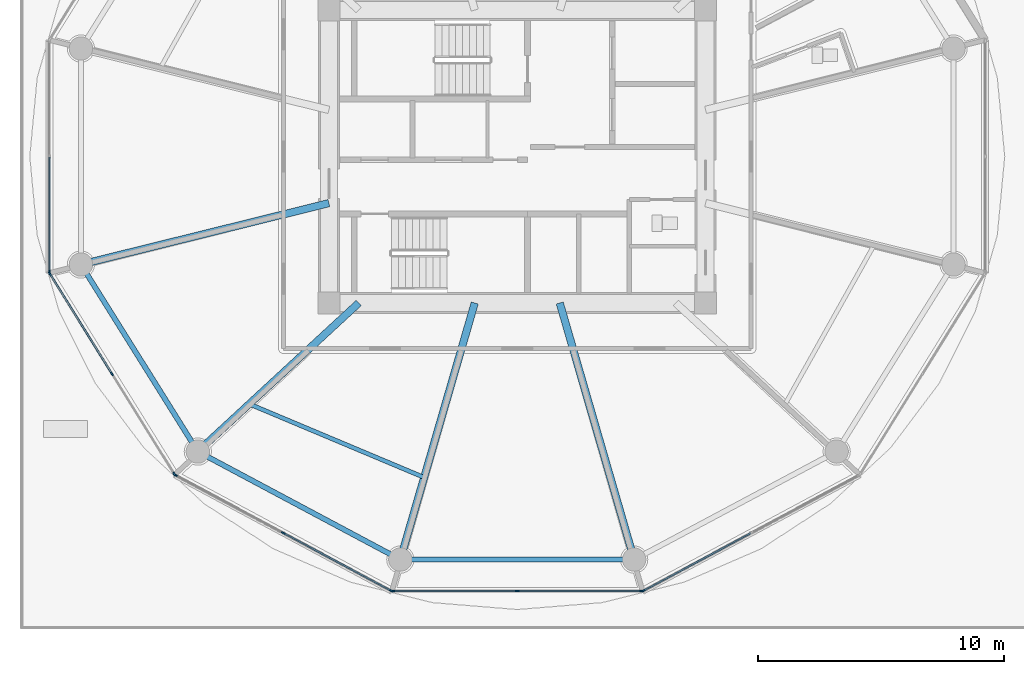
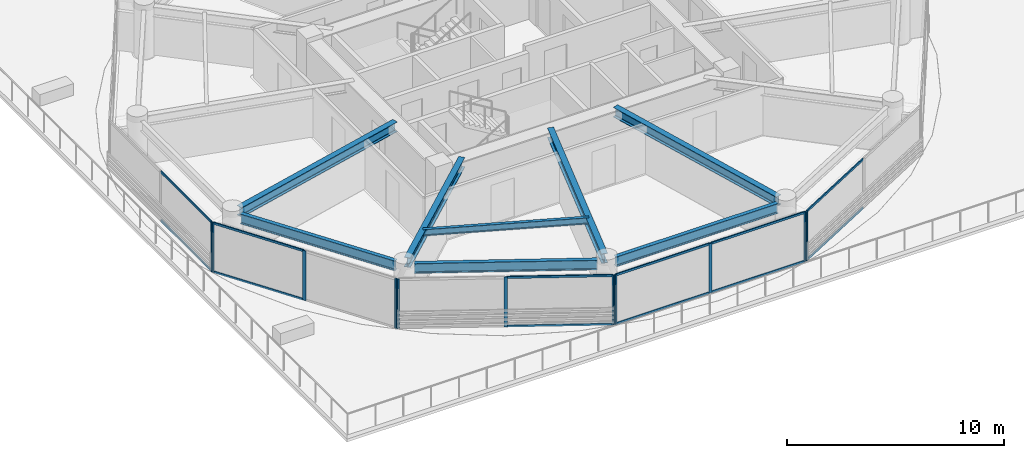
# One storey, part 2 of 32: 23 members, 8 beams, 5 elements without a shape of their own.
"""IFC4 building model written with IfcOpenShell, lengths in metres."""

from ifc_helpers import new_model, si_unit, direction, frame, origin, origin_2d, place, context, subcontext, project, spatial, rectangle, i_section, extrude, source, transform, mapped, material, layer, layer_set, material_profile, profile_set, type_object, type_shapes, element, aggregate, save


model = new_model("IFC4")

# Units and contexts
model_context = context("Model", 3, precision=1e-05, world=origin(), true_north=direction((0.0, 1.0)))
body_context = subcontext(model_context, "Body", "Model", "MODEL_VIEW")
ifc_project = project(units=[si_unit("LENGTHUNIT", "METRE"), si_unit("AREAUNIT", "SQUARE_METRE"), si_unit("VOLUMEUNIT", "CUBIC_METRE"), si_unit("PLANEANGLEUNIT", "RADIAN"), si_unit("MASSUNIT", "GRAM", prefix="KILO")], contexts=[model_context])

# Site, building, storey
site_placement = place(None, origin())
site = spatial("IfcSite", under=ifc_project, at=site_placement, CompositionType="ELEMENT")
building_placement = place(site_placement, origin())
building = spatial("IfcBuilding", under=site, at=building_placement, Name="Norrkilde Senior Care Towers", CompositionType="ELEMENT")
storey_placement = place(building_placement, frame((0.0, 0.0, 21.60009765625)))
storey = spatial("IfcBuildingStorey", under=building, at=storey_placement, Name="L05", CompositionType="ELEMENT", Elevation=21.60009765625)

# Beams
ifc_material_1 = material(Name="Steel S355", Category="steel")
ifc_material_profile_1 = material_profile(ifc_material_1, i_section(OverallWidth=0.2099609375, OverallDepth=0.550048828125, WebThickness=0.010986328125, FlangeThickness=0.01708984375, FilletRadius=0.02392578125, at=origin_2d()), Name="IPE 550")
ifc_profile_set_1 = profile_set([ifc_material_profile_1], Name="Steel S355")
beam_type_1 = type_object("IfcBeamType", Name="Perimeter Ring Spandrel Z1 IPE550", PredefinedType="SPANDREL", material=ifc_profile_set_1)
shared_shape_1 = source(origin(), body_context, "Body", "SweptSolid", [
    extrude(i_section(OverallWidth=0.2099609375, OverallDepth=0.550048828125, WebThickness=0.010986328125, FlangeThickness=0.01708984375, FilletRadius=0.02392578125, at=origin_2d()), origin(), (0.0, 0.0, 1.0), 8.090576171875),
])
beam_1_placement = place(storey_placement, frame((-45.494140625, -4.755859375, 2.514892578125), z_axis=(0.530004364821, -0.84799491347, 0.0), x_axis=(0.84799491347, 0.530004364821, 0.0)))
element("IfcBeam", 1, at=beam_1_placement, inside=storey, type_object=beam_type_1, Name="L05 Drum W Perimeter Spandrel 07", PredefinedType="SPANDREL", context=body_context, shape_type="MappedRepresentation", body=[
    mapped(shared_shape_1, transform((0.0, 0.0, 0.0), x_axis=(1.0, 0.0, 0.0), y_axis=(0.0, 1.0, 0.0), z_axis=(0.0, 0.0, 1.0), scale=1.0)),
])
ifc_material_profile_2 = material_profile(ifc_material_1, i_section(OverallWidth=0.300048828125, OverallDepth=0.550048828125, WebThickness=0.014892578125, FlangeThickness=0.029052734375, FilletRadius=0.027099609375, at=origin_2d()), Name="HEB 550")
ifc_profile_set_2 = profile_set([ifc_material_profile_2], Name="Steel S355")
beam_type_2 = type_object("IfcBeamType", Name="Radial Floor Beam Z1 HEB550", PredefinedType="BEAM", material=ifc_profile_set_2)
shared_shape_2 = source(origin(), body_context, "Body", "SweptSolid", [
    extrude(i_section(OverallWidth=0.300048828125, OverallDepth=0.550048828125, WebThickness=0.014892578125, FlangeThickness=0.029052734375, FilletRadius=0.027099609375, at=origin_2d()), origin(), (0.0, 0.0, 1.0), 9.94384765625),
])
beam_2_placement = place(storey_placement, frame((-35.64990234375, -1.893310546875, 2.514892578125), z_axis=(-0.970707425182, -0.240264634718, 0.0), x_axis=(0.240264634718, -0.970707425182, 0.0)))
element("IfcBeam", 2, at=beam_2_placement, inside=storey, type_object=beam_type_2, Name="L05 Drum W Radial Floor Beam 07", PredefinedType="BEAM", context=body_context, shape_type="MappedRepresentation", body=[
    mapped(shared_shape_2, transform((0.0, 0.0, 0.0), x_axis=(1.0, 0.0, 0.0), y_axis=(0.0, 1.0, 0.0), z_axis=(0.0, 0.0, 1.0), scale=1.0)),
])
shared_shape_3 = source(origin(), body_context, "Body", "SweptSolid", [
    extrude(i_section(OverallWidth=0.2099609375, OverallDepth=0.550048828125, WebThickness=0.010986328125, FlangeThickness=0.01708984375, FilletRadius=0.02392578125, at=origin_2d()), origin(), (0.0, 0.0, 1.0), 8.452880859375),
])
beam_3_placement = place(storey_placement, frame((-40.591552734375, -12.190185546875, 2.514892578125), z_axis=(0.882368931134, -0.470558252898, 0.0), x_axis=(0.470558252898, 0.882368931134, 0.0)))
element("IfcBeam", 3, at=beam_3_placement, inside=storey, type_object=beam_type_1, Name="L05 Drum W Perimeter Spandrel 08", PredefinedType="SPANDREL", context=body_context, shape_type="MappedRepresentation", body=[
    mapped(shared_shape_3, transform((0.0, 0.0, 0.0), x_axis=(1.0, 0.0, 0.0), y_axis=(0.0, 1.0, 0.0), z_axis=(0.0, 0.0, 1.0), scale=1.0)),
])
shared_shape_4 = source(origin(), body_context, "Body", "SweptSolid", [
    extrude(i_section(OverallWidth=0.300048828125, OverallDepth=0.550048828125, WebThickness=0.014892578125, FlangeThickness=0.029052734375, FilletRadius=0.027099609375, at=origin_2d()), origin(), (0.0, 0.0, 1.0), 8.459716796875),
])
beam_4_placement = place(storey_placement, frame((-34.44140625, -5.949951171875, 2.514892578125), z_axis=(-0.734573269108, -0.678529374686, 0.0), x_axis=(0.678529374686, -0.734573269108, 0.0)))
element("IfcBeam", 4, at=beam_4_placement, inside=storey, type_object=beam_type_2, Name="L05 Drum W Radial Floor Beam 08", PredefinedType="BEAM", context=body_context, shape_type="MappedRepresentation", body=[
    mapped(shared_shape_4, transform((0.0, 0.0, 0.0), x_axis=(1.0, 0.0, 0.0), y_axis=(0.0, 1.0, 0.0), z_axis=(0.0, 0.0, 1.0), scale=1.0)),
])
shared_shape_5 = source(origin(), body_context, "Body", "SweptSolid", [
    extrude(i_section(OverallWidth=0.2099609375, OverallDepth=0.550048828125, WebThickness=0.010986328125, FlangeThickness=0.01708984375, FilletRadius=0.02392578125, at=origin_2d()), origin(), (0.0, 0.0, 1.0), 8.62841796875),
])
type_shapes(beam_type_1, [shared_shape_1, shared_shape_3, shared_shape_5])
beam_5_placement = place(storey_placement, frame((-32.314208984375, -16.37255859375, 2.514892578125), z_axis=(1.0, 0.0, 0.0), x_axis=(0.0, 1.0, 0.0)))
element("IfcBeam", 5, at=beam_5_placement, inside=storey, type_object=beam_type_1, Name="L05 Drum W Perimeter Spandrel 09", PredefinedType="SPANDREL", context=body_context, shape_type="MappedRepresentation", body=[
    mapped(shared_shape_5, transform((0.0, 0.0, 0.0), x_axis=(1.0, 0.0, 0.0), y_axis=(0.0, 1.0, 0.0), z_axis=(0.0, 0.0, 1.0), scale=1.0)),
])
shared_shape_6 = source(origin(), body_context, "Body", "SweptSolid", [
    extrude(i_section(OverallWidth=0.300048828125, OverallDepth=0.550048828125, WebThickness=0.014892578125, FlangeThickness=0.029052734375, FilletRadius=0.027099609375, at=origin_2d()), origin(), (0.0, 0.0, 1.0), 10.4169921875),
])
type_shapes(beam_type_2, [shared_shape_2, shared_shape_4, shared_shape_6])
for number, where, z_axis, x_axis, name in (
    (6, (-29.72607421875, -5.949951171875, 2.514892578125), (-0.278591250785, -0.960409764104, 0.0), (0.960409764104, -0.278591250785, 0.0), "L05 Drum W Radial Floor Beam 09"),
    (7, (-26.27392578125, -5.949951171875, 2.514892578125), (0.278591250785, -0.960409764104, 0.0), (0.960409764104, 0.278591250785, 0.0), "L05 Drum W Radial Floor Beam 10"),
):
    element("IfcBeam", number, at=place(storey_placement, frame(where, z_axis=z_axis, x_axis=x_axis)), inside=storey, type_object=beam_type_2, Name=name, PredefinedType="BEAM", context=body_context, shape_type="MappedRepresentation", body=[
        mapped(shared_shape_6, transform((0.0, 0.0, 0.0), x_axis=(1.0, 0.0, 0.0), y_axis=(0.0, 1.0, 0.0), z_axis=(0.0, 0.0, 1.0), scale=1.0)),
    ])
ifc_material_profile_3 = material_profile(ifc_material_1, i_section(OverallWidth=0.169921875, OverallDepth=0.360107421875, WebThickness=0.008056640625, FlangeThickness=0.0126953125, FilletRadius=0.01806640625, at=origin_2d()), Name="IPE 360")
ifc_profile_set_3 = profile_set([ifc_material_profile_3], Name="Steel S355")
beam_type_3 = type_object("IfcBeamType", Name="Secondary Floor Joist IPE360", PredefinedType="JOIST", material=ifc_profile_set_3)
shared_shape_7 = source(origin(), body_context, "Body", "SweptSolid", [
    extrude(i_section(OverallWidth=0.169921875, OverallDepth=0.360107421875, WebThickness=0.008056640625, FlangeThickness=0.0126953125, FilletRadius=0.01806640625, at=origin_2d()), origin(), (0.0, 0.0, 1.0), 7.703857421875),
])
type_shapes(beam_type_3, [shared_shape_7])
beam_6_placement = place(storey_placement, frame((-38.884521484375, -10.05419921875, 2.60986328125), z_axis=(0.921982784465, -0.387230868023, 0.0), x_axis=(0.387230868023, 0.921982784465, 0.0)))
element("IfcBeam", 8, at=beam_6_placement, inside=storey, type_object=beam_type_3, Name="L05 Drum W Secondary Floor Joist 3", PredefinedType="JOIST", context=body_context, shape_type="MappedRepresentation", body=[
    mapped(shared_shape_7, transform((0.0, 0.0, 0.0), x_axis=(1.0, 0.0, 0.0), y_axis=(0.0, 1.0, 0.0), z_axis=(0.0, 0.0, 1.0), scale=1.0)),
])

# Curtain wall, member
ifc_material_2 = material(Name="Triple Low-E Insulated Glazing", Category="glass")
ifc_layer = layer(ifc_material_2, 0.199951171875)
ifc_layer_set = layer_set([ifc_layer], Name="Triple Low-E Insulated Glazing")
curtain_wall_type = type_object("IfcCurtainWallType", Name="CW2 Zone 1 Memory Care Curtain Wall", PredefinedType="NOTDEFINED", material=ifc_layer_set)
curtain_wall_1_placement = place(storey_placement, origin())
curtain_wall_1 = element("IfcCurtainWall", 9, at=curtain_wall_1_placement, inside=storey, type_object=curtain_wall_type, Name="L05 Drum W Curtain Wall 05", PredefinedType="NOTDEFINED")
ifc_material_3 = material(Name="Anodised Aluminium", Category="aluminium")
ifc_material_profile_4 = material_profile(ifc_material_3, rectangle(XDim=0.06494140625, YDim=0.159912109375, at=origin_2d()), Name="ALU MULL 65x160")
ifc_profile_set_4 = profile_set([ifc_material_profile_4], Name="Anodised Aluminium")
member_type_1 = type_object("IfcMemberType", Name="Curtain Wall Mullion Z1-Z2 65x160", PredefinedType="MULLION", material=ifc_profile_set_4)
shared_shape_8 = source(origin(), body_context, "Body", "SweptSolid", [
    extrude(rectangle(XDim=0.06494140625, YDim=0.159912109375, at=origin_2d()), origin(), (0.0, 0.0, 1.0), 2.789794921875),
])
type_shapes(member_type_1, [shared_shape_8])
member_1_placement = place(storey_placement, frame((-47.009521484375, -4.69873046875, 0.0), z_axis=(0.0, 0.0, 1.0), x_axis=(-1.0, 0.0, 0.0)))
member_1 = element("IfcMember", 10, at=member_1_placement, type_object=member_type_1, Name="CW-2 mullion 1", PredefinedType="MULLION", context=body_context, shape_type="MappedRepresentation", body=[
    mapped(shared_shape_8, transform((0.0, 0.0, 0.0), x_axis=(1.0, 0.0, 0.0), y_axis=(0.0, 1.0, 0.0), z_axis=(0.0, 0.0, 1.0), scale=1.0)),
])

# Curtain wall, members
curtain_wall_2_placement = place(storey_placement, origin())
curtain_wall_2 = element("IfcCurtainWall", 11, at=curtain_wall_2_placement, inside=storey, type_object=curtain_wall_type, Name="L05 Drum W Curtain Wall 06", PredefinedType="NOTDEFINED")
member_2_placement = place(storey_placement, frame((-41.93310546875, -12.898193359375, 0.0), z_axis=(0.0, 0.0, 1.0), x_axis=(-0.849305943117, -0.527900951871, 0.0)))
member_2 = element("IfcMember", 12, at=member_2_placement, type_object=member_type_1, Name="CW-2 mullion 1", PredefinedType="MULLION", context=body_context, shape_type="MappedRepresentation", body=[
    mapped(shared_shape_8, transform((0.0, 0.0, 0.0), x_axis=(1.0, 0.0, 0.0), y_axis=(0.0, 1.0, 0.0), z_axis=(0.0, 0.0, 1.0), scale=1.0)),
])
member_3_placement = place(storey_placement, frame((-44.462646484375, -8.82861328125, 0.0), z_axis=(0.0, 0.0, 1.0), x_axis=(-0.849305943117, -0.527900951871, 0.0)))
member_3 = element("IfcMember", 13, at=member_3_placement, type_object=member_type_1, Name="CW-2 mullion 2", PredefinedType="MULLION", context=body_context, shape_type="MappedRepresentation", body=[
    mapped(shared_shape_8, transform((0.0, 0.0, 0.0), x_axis=(1.0, 0.0, 0.0), y_axis=(0.0, 1.0, 0.0), z_axis=(0.0, 0.0, 1.0), scale=1.0)),
])
member_4_placement = place(storey_placement, frame((-46.9921875, -4.7587890625, 0.0), z_axis=(0.0, 0.0, 1.0), x_axis=(-0.849305943117, -0.527900951871, 0.0)))
member_4 = element("IfcMember", 14, at=member_4_placement, type_object=member_type_1, Name="CW-2 mullion 3", PredefinedType="MULLION", context=body_context, shape_type="MappedRepresentation", body=[
    mapped(shared_shape_8, transform((0.0, 0.0, 0.0), x_axis=(1.0, 0.0, 0.0), y_axis=(0.0, 1.0, 0.0), z_axis=(0.0, 0.0, 1.0), scale=1.0)),
])

curtain_wall_3_placement = place(storey_placement, origin())
curtain_wall_3 = element("IfcCurtainWall", 15, at=curtain_wall_3_placement, inside=storey, type_object=curtain_wall_type, Name="L05 Drum W Curtain Wall 07", PredefinedType="NOTDEFINED")
member_5_placement = place(storey_placement, frame((-33.122314453125, -17.641845703125, 0.0), z_axis=(0.0, 0.0, 1.0), x_axis=(-0.472607802456, -0.881272866403, 0.0)))
member_5 = element("IfcMember", 16, at=member_5_placement, type_object=member_type_1, Name="CW-2 mullion 1", PredefinedType="MULLION", context=body_context, shape_type="MappedRepresentation", body=[
    mapped(shared_shape_8, transform((0.0, 0.0, 0.0), x_axis=(1.0, 0.0, 0.0), y_axis=(0.0, 1.0, 0.0), z_axis=(0.0, 0.0, 1.0), scale=1.0)),
])
member_6_placement = place(storey_placement, frame((-37.504638671875, -15.29150390625, 0.0), z_axis=(0.0, 0.0, 1.0), x_axis=(-0.472607802456, -0.881272866403, 0.0)))
member_6 = element("IfcMember", 17, at=member_6_placement, type_object=member_type_1, Name="CW-2 mullion 2", PredefinedType="MULLION", context=body_context, shape_type="MappedRepresentation", body=[
    mapped(shared_shape_8, transform((0.0, 0.0, 0.0), x_axis=(1.0, 0.0, 0.0), y_axis=(0.0, 1.0, 0.0), z_axis=(0.0, 0.0, 1.0), scale=1.0)),
])
member_7_placement = place(storey_placement, frame((-41.88720703125, -12.941162109375, 0.0), z_axis=(0.0, 0.0, 1.0), x_axis=(-0.472607802456, -0.881272866403, 0.0)))
member_7 = element("IfcMember", 18, at=member_7_placement, type_object=member_type_1, Name="CW-2 mullion 3", PredefinedType="MULLION", context=body_context, shape_type="MappedRepresentation", body=[
    mapped(shared_shape_8, transform((0.0, 0.0, 0.0), x_axis=(1.0, 0.0, 0.0), y_axis=(0.0, 1.0, 0.0), z_axis=(0.0, 0.0, 1.0), scale=1.0)),
])

curtain_wall_4_placement = place(storey_placement, origin())
curtain_wall_4 = element("IfcCurtainWall", 19, at=curtain_wall_4_placement, inside=storey, type_object=curtain_wall_type, Name="L05 Drum W Curtain Wall 08", PredefinedType="NOTDEFINED")
member_8_placement = place(storey_placement, frame((-22.93896484375, -17.6572265625, 0.0), z_axis=(0.0, 0.0, 1.0), x_axis=(0.0, -1.0, 0.0)))
member_8 = element("IfcMember", 20, at=member_8_placement, type_object=member_type_1, Name="CW-2 mullion 1", PredefinedType="MULLION", context=body_context, shape_type="MappedRepresentation", body=[
    mapped(shared_shape_8, transform((0.0, 0.0, 0.0), x_axis=(1.0, 0.0, 0.0), y_axis=(0.0, 1.0, 0.0), z_axis=(0.0, 0.0, 1.0), scale=1.0)),
])
member_9_placement = place(storey_placement, frame((-28.0, -17.6572265625, 0.0), z_axis=(0.0, 0.0, 1.0), x_axis=(0.0, -1.0, 0.0)))
member_9 = element("IfcMember", 21, at=member_9_placement, type_object=member_type_1, Name="CW-2 mullion 2", PredefinedType="MULLION", context=body_context, shape_type="MappedRepresentation", body=[
    mapped(shared_shape_8, transform((0.0, 0.0, 0.0), x_axis=(1.0, 0.0, 0.0), y_axis=(0.0, 1.0, 0.0), z_axis=(0.0, 0.0, 1.0), scale=1.0)),
])
member_10_placement = place(storey_placement, frame((-33.06103515625, -17.6572265625, 0.0), z_axis=(0.0, 0.0, 1.0), x_axis=(0.0, -1.0, 0.0)))
member_10 = element("IfcMember", 22, at=member_10_placement, type_object=member_type_1, Name="CW-2 mullion 3", PredefinedType="MULLION", context=body_context, shape_type="MappedRepresentation", body=[
    mapped(shared_shape_8, transform((0.0, 0.0, 0.0), x_axis=(1.0, 0.0, 0.0), y_axis=(0.0, 1.0, 0.0), z_axis=(0.0, 0.0, 1.0), scale=1.0)),
])

# Curtain wall, member
curtain_wall_5_placement = place(storey_placement, origin())
curtain_wall_5 = element("IfcCurtainWall", 23, at=curtain_wall_5_placement, inside=storey, type_object=curtain_wall_type, Name="L05 Drum W Curtain Wall 09", PredefinedType="NOTDEFINED")
member_11_placement = place(storey_placement, frame((-22.877685546875, -17.641845703125, 0.0), z_axis=(0.0, 0.0, 1.0), x_axis=(0.472607802456, -0.881272866403, 0.0)))
member_11 = element("IfcMember", 24, at=member_11_placement, type_object=member_type_1, Name="CW-2 mullion 3", PredefinedType="MULLION", context=body_context, shape_type="MappedRepresentation", body=[
    mapped(shared_shape_8, transform((0.0, 0.0, 0.0), x_axis=(1.0, 0.0, 0.0), y_axis=(0.0, 1.0, 0.0), z_axis=(0.0, 0.0, 1.0), scale=1.0)),
])

# Member
ifc_material_profile_5 = material_profile(ifc_material_3, rectangle(XDim=0.06005859375, YDim=0.1201171875, at=origin_2d()), Name="ALU TRAN 60x120")
ifc_profile_set_5 = profile_set([ifc_material_profile_5], Name="Anodised Aluminium")
member_type_2 = type_object("IfcMemberType", Name="Curtain Wall Transom Typical 60x120", PredefinedType="USERDEFINED", material=ifc_profile_set_5)
shared_shape_9 = source(origin(), body_context, "Body", "SweptSolid", [
    extrude(rectangle(XDim=0.06005859375, YDim=0.1201171875, at=origin_2d()), origin(), (0.0, 0.0, 1.0), 4.907958984375),
])
member_12_placement = place(storey_placement, frame((-33.15087890625, -17.62646484375, 0.02978515625), z_axis=(-0.881266902561, 0.472618923077, 0.0), x_axis=(-0.472618923077, -0.881266902561, 0.0)))
member_12 = element("IfcMember", 25, at=member_12_placement, type_object=member_type_2, Name="CW-2 transom 1.1", ObjectType="TRANSOM", PredefinedType="USERDEFINED", context=body_context, shape_type="MappedRepresentation", body=[
    mapped(shared_shape_9, transform((0.0, 0.0, 0.0), x_axis=(1.0, 0.0, 0.0), y_axis=(0.0, 1.0, 0.0), z_axis=(0.0, 0.0, 1.0), scale=1.0)),
])

member_13_placement = place(storey_placement, frame((-33.15087890625, -17.62646484375, 2.760009765625), z_axis=(-0.881266902561, 0.472618923077, 0.0), x_axis=(-0.472618923077, -0.881266902561, 0.0)))
member_13 = element("IfcMember", 26, at=member_13_placement, type_object=member_type_2, Name="CW-2 transom 1.2", ObjectType="TRANSOM", PredefinedType="USERDEFINED", context=body_context, shape_type="MappedRepresentation", body=[
    mapped(shared_shape_9, transform((0.0, 0.0, 0.0), x_axis=(1.0, 0.0, 0.0), y_axis=(0.0, 1.0, 0.0), z_axis=(0.0, 0.0, 1.0), scale=1.0)),
])

aggregate(curtain_wall_3, [member_5, member_6, member_7, member_12, member_13])

member_14_placement = place(storey_placement, frame((-18.52392578125, -15.306884765625, 0.02978515625), z_axis=(-0.881266902561, -0.472618923077, 0.0), x_axis=(0.472618923077, -0.881266902561, 0.0)))
member_14 = element("IfcMember", 27, at=member_14_placement, type_object=member_type_2, Name="CW-2 transom 2.1", ObjectType="TRANSOM", PredefinedType="USERDEFINED", context=body_context, shape_type="MappedRepresentation", body=[
    mapped(shared_shape_9, transform((0.0, 0.0, 0.0), x_axis=(1.0, 0.0, 0.0), y_axis=(0.0, 1.0, 0.0), z_axis=(0.0, 0.0, 1.0), scale=1.0)),
])

member_15_placement = place(storey_placement, frame((-18.52392578125, -15.306884765625, 2.760009765625), z_axis=(-0.881266902561, -0.472618923077, 0.0), x_axis=(0.472618923077, -0.881266902561, 0.0)))
member_15 = element("IfcMember", 28, at=member_15_placement, type_object=member_type_2, Name="CW-2 transom 2.2", ObjectType="TRANSOM", PredefinedType="USERDEFINED", context=body_context, shape_type="MappedRepresentation", body=[
    mapped(shared_shape_9, transform((0.0, 0.0, 0.0), x_axis=(1.0, 0.0, 0.0), y_axis=(0.0, 1.0, 0.0), z_axis=(0.0, 0.0, 1.0), scale=1.0)),
])

aggregate(curtain_wall_5, [member_11, member_14, member_15])

shared_shape_10 = source(origin(), body_context, "Body", "SweptSolid", [
    extrude(rectangle(XDim=0.06005859375, YDim=0.1201171875, at=origin_2d()), origin(), (0.0, 0.0, 1.0), 4.99609375),
])
member_16_placement = place(storey_placement, frame((-22.971435546875, -17.6572265625, 0.02978515625), z_axis=(-1.0, 0.0, 0.0), x_axis=(0.0, -1.0, 0.0)))
member_16 = element("IfcMember", 29, at=member_16_placement, type_object=member_type_2, Name="CW-2 transom 1.1", ObjectType="TRANSOM", PredefinedType="USERDEFINED", context=body_context, shape_type="MappedRepresentation", body=[
    mapped(shared_shape_10, transform((0.0, 0.0, 0.0), x_axis=(1.0, 0.0, 0.0), y_axis=(0.0, 1.0, 0.0), z_axis=(0.0, 0.0, 1.0), scale=1.0)),
])

member_17_placement = place(storey_placement, frame((-22.971435546875, -17.6572265625, 2.760009765625), z_axis=(-1.0, 0.0, 0.0), x_axis=(0.0, -1.0, 0.0)))
member_17 = element("IfcMember", 30, at=member_17_placement, type_object=member_type_2, Name="CW-2 transom 1.2", ObjectType="TRANSOM", PredefinedType="USERDEFINED", context=body_context, shape_type="MappedRepresentation", body=[
    mapped(shared_shape_10, transform((0.0, 0.0, 0.0), x_axis=(1.0, 0.0, 0.0), y_axis=(0.0, 1.0, 0.0), z_axis=(0.0, 0.0, 1.0), scale=1.0)),
])

member_18_placement = place(storey_placement, frame((-28.032470703125, -17.6572265625, 0.02978515625), z_axis=(-1.0, 0.0, 0.0), x_axis=(0.0, -1.0, 0.0)))
member_18 = element("IfcMember", 31, at=member_18_placement, type_object=member_type_2, Name="CW-2 transom 2.1", ObjectType="TRANSOM", PredefinedType="USERDEFINED", context=body_context, shape_type="MappedRepresentation", body=[
    mapped(shared_shape_10, transform((0.0, 0.0, 0.0), x_axis=(1.0, 0.0, 0.0), y_axis=(0.0, 1.0, 0.0), z_axis=(0.0, 0.0, 1.0), scale=1.0)),
])

member_19_placement = place(storey_placement, frame((-28.032470703125, -17.6572265625, 2.760009765625), z_axis=(-1.0, 0.0, 0.0), x_axis=(0.0, -1.0, 0.0)))
member_19 = element("IfcMember", 32, at=member_19_placement, type_object=member_type_2, Name="CW-2 transom 2.2", ObjectType="TRANSOM", PredefinedType="USERDEFINED", context=body_context, shape_type="MappedRepresentation", body=[
    mapped(shared_shape_10, transform((0.0, 0.0, 0.0), x_axis=(1.0, 0.0, 0.0), y_axis=(0.0, 1.0, 0.0), z_axis=(0.0, 0.0, 1.0), scale=1.0)),
])

aggregate(curtain_wall_4, [member_8, member_9, member_10, member_16, member_17, member_18, member_19])

shared_shape_11 = source(origin(), body_context, "Body", "SweptSolid", [
    extrude(rectangle(XDim=0.06005859375, YDim=0.1201171875, at=origin_2d()), origin(), (0.0, 0.0, 1.0), 4.72705078125),
])
member_20_placement = place(storey_placement, frame((-44.479736328125, -8.801025390625, 0.02978515625), z_axis=(-0.527898881076, 0.849307230252, 0.0), x_axis=(-0.849307230252, -0.527898881076, 0.0)))
member_20 = element("IfcMember", 33, at=member_20_placement, type_object=member_type_2, Name="CW-2 transom 2.1", ObjectType="TRANSOM", PredefinedType="USERDEFINED", context=body_context, shape_type="MappedRepresentation", body=[
    mapped(shared_shape_11, transform((0.0, 0.0, 0.0), x_axis=(1.0, 0.0, 0.0), y_axis=(0.0, 1.0, 0.0), z_axis=(0.0, 0.0, 1.0), scale=1.0)),
])

member_21_placement = place(storey_placement, frame((-44.479736328125, -8.801025390625, 2.760009765625), z_axis=(-0.527898881076, 0.849307230252, 0.0), x_axis=(-0.849307230252, -0.527898881076, 0.0)))
member_21 = element("IfcMember", 34, at=member_21_placement, type_object=member_type_2, Name="CW-2 transom 2.2", ObjectType="TRANSOM", PredefinedType="USERDEFINED", context=body_context, shape_type="MappedRepresentation", body=[
    mapped(shared_shape_11, transform((0.0, 0.0, 0.0), x_axis=(1.0, 0.0, 0.0), y_axis=(0.0, 1.0, 0.0), z_axis=(0.0, 0.0, 1.0), scale=1.0)),
])

aggregate(curtain_wall_2, [member_2, member_3, member_4, member_20, member_21])

shared_shape_12 = source(origin(), body_context, "Body", "SweptSolid", [
    extrude(rectangle(XDim=0.06005859375, YDim=0.1201171875, at=origin_2d()), origin(), (0.0, 0.0, 1.0), 4.6337890625),
])
type_shapes(member_type_2, [shared_shape_9, shared_shape_10, shared_shape_11, shared_shape_12])
member_22_placement = place(storey_placement, frame((-47.009521484375, -4.666259765625, 0.02978515625), z_axis=(0.0, 1.0, 0.0), x_axis=(-1.0, 0.0, 0.0)))
member_22 = element("IfcMember", 35, at=member_22_placement, type_object=member_type_2, Name="CW-2 transom 1.1", ObjectType="TRANSOM", PredefinedType="USERDEFINED", context=body_context, shape_type="MappedRepresentation", body=[
    mapped(shared_shape_12, transform((0.0, 0.0, 0.0), x_axis=(1.0, 0.0, 0.0), y_axis=(0.0, 1.0, 0.0), z_axis=(0.0, 0.0, 1.0), scale=1.0)),
])

member_23_placement = place(storey_placement, frame((-47.009521484375, -4.666259765625, 2.760009765625), z_axis=(0.0, 1.0, 0.0), x_axis=(-1.0, 0.0, 0.0)))
member_23 = element("IfcMember", 36, at=member_23_placement, type_object=member_type_2, Name="CW-2 transom 1.2", ObjectType="TRANSOM", PredefinedType="USERDEFINED", context=body_context, shape_type="MappedRepresentation", body=[
    mapped(shared_shape_12, transform((0.0, 0.0, 0.0), x_axis=(1.0, 0.0, 0.0), y_axis=(0.0, 1.0, 0.0), z_axis=(0.0, 0.0, 1.0), scale=1.0)),
])

aggregate(curtain_wall_1, [member_1, member_22, member_23])

save(model, "model.ifc")
